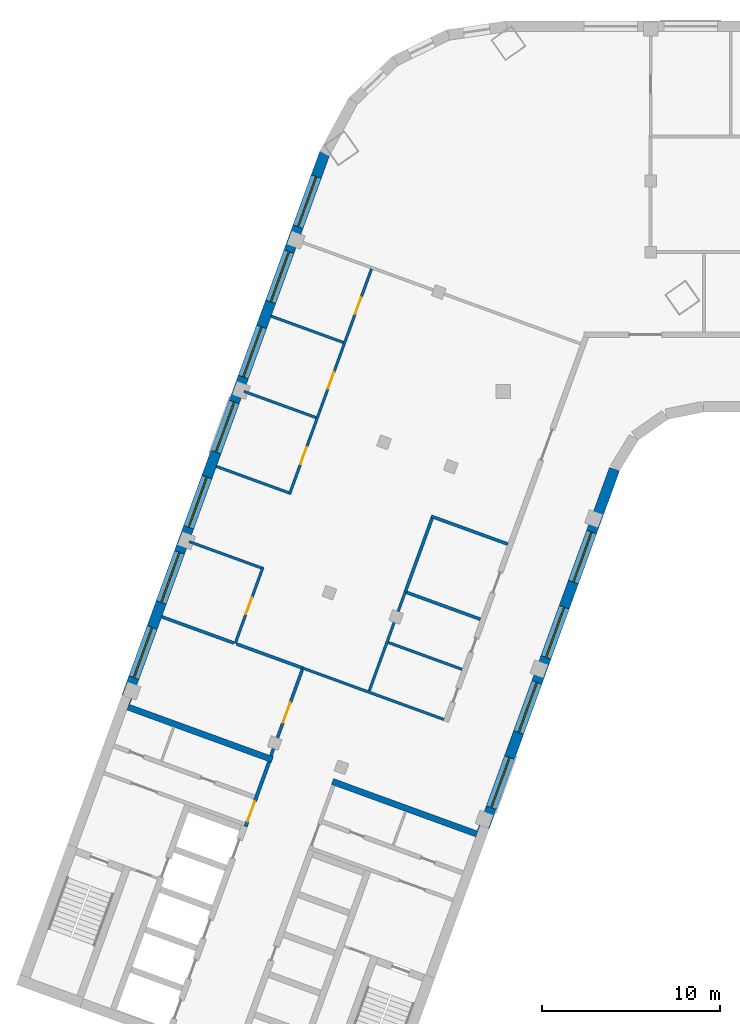
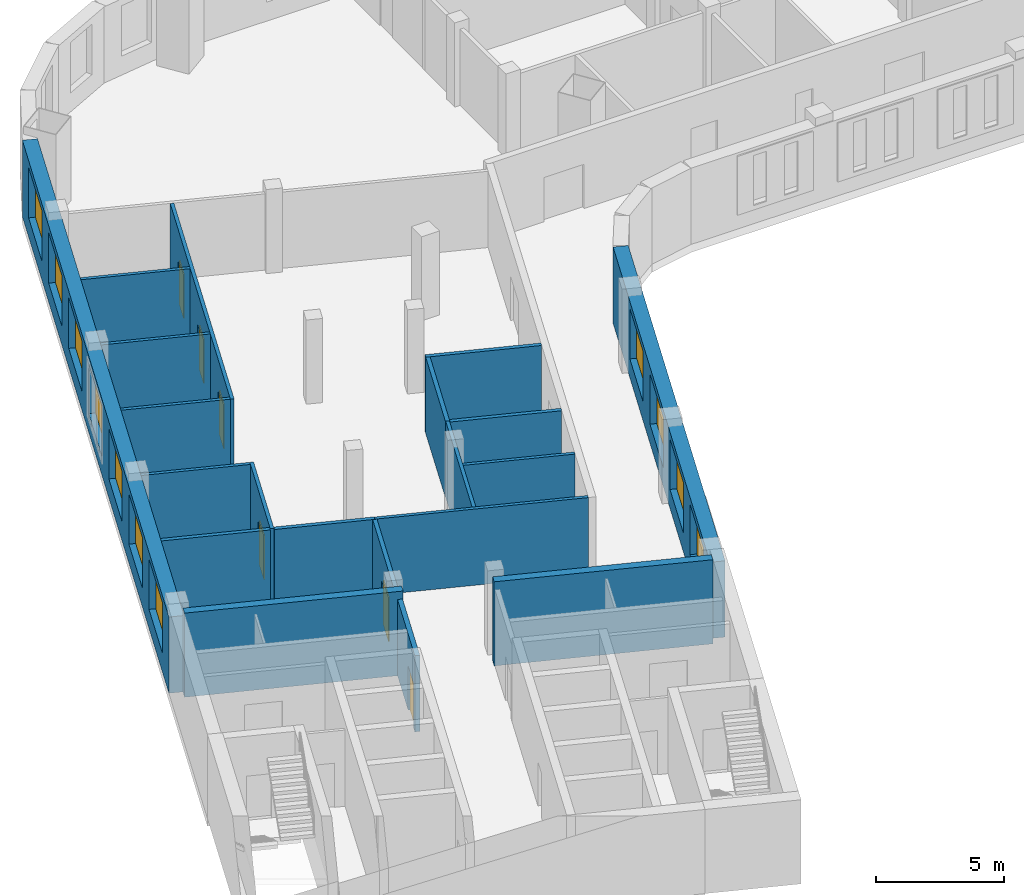
# One storey, part 3 of 9: 20 walls, 11 windows, 6 doors, 17 openings.
"""IFC4 building model written with IfcOpenShell, lengths in metres."""

import ifcopenshell
import ifcopenshell.guid

model = None  # the IFC model being written
_history = None  # IfcOwnerHistory: only IFC2X3 demands one
_inside = {}  # id of a spatial element -> (the spatial element, [elements in it])
_under = {}  # id of a project, library or spatial element -> (it, [spatial elements below it])
_declared = {}  # id of a project -> (the project, [libraries it declares])
_typed = {}  # id of a type object -> (the type object, [elements of that type])
_made_of = {}  # id of a material, layer set ... -> (it, [elements and type objects made of it])


def new_model(schema):
    """Start an empty IFC model of exactly this schema.

    Asked for "IFC4X3", IfcOpenShell would pick the latest addendum, in which some entities
    have other attributes; the version numbers below select the first issue.
    IFC2X3 requires an IfcOwnerHistory on every rooted entity: one is made here for all.
    """
    global model, _history
    if schema == "IFC4X3":
        model = ifcopenshell.file(schema_version=(4, 3, 0, 0))
    else:
        model = ifcopenshell.file(schema=schema)
    _inside.clear()
    _under.clear()
    _declared.clear()
    _typed.clear()
    _made_of.clear()
    _history = None
    if model.schema == "IFC2X3":
        org = make("IfcOrganization", Name="unknown")
        user = make(
            "IfcPersonAndOrganization",
            ThePerson=make("IfcPerson", FamilyName="unknown"),
            TheOrganization=org,
        )
        app = make(
            "IfcApplication",
            ApplicationDeveloper=org,
            Version="unknown",
            ApplicationFullName="unknown",
            ApplicationIdentifier="unknown",
        )
        _history = make(
            "IfcOwnerHistory",
            OwningUser=user,
            OwningApplication=app,
            ChangeAction="ADDED",
            CreationDate=0,
        )
    return model


def make(cls, **values):
    """One entity of the class cls with the attributes given. An attribute that is None is left unset."""
    return model.create_entity(
        cls, **{name: value for name, value in values.items() if value is not None}
    )


def rooted(cls, **values):
    """An entity with a GlobalId (a new one), such as an element, a storey or a relation."""
    return make(cls, GlobalId=ifcopenshell.guid.new(), OwnerHistory=_history, **values)


def si_unit(unit_type, name, prefix=None):
    """IfcSIUnit, for example si_unit("LENGTHUNIT", "METRE", prefix="MILLI")."""
    return make("IfcSIUnit", UnitType=unit_type, Prefix=prefix, Name=name)


def assignment(units):
    """IfcUnitAssignment: the units of a project."""
    return None if units is None else make("IfcUnitAssignment", Units=units)


def point(xyz):
    """IfcCartesianPoint."""
    return None if xyz is None else make("IfcCartesianPoint", Coordinates=xyz)


def direction(xyz):
    """IfcDirection."""
    return None if xyz is None else make("IfcDirection", DirectionRatios=xyz)


def frame(location, z_axis=None, x_axis=None):
    """IfcAxis2Placement3D, a coordinate frame: its origin and axes. An axis left out is left unset."""
    return make(
        "IfcAxis2Placement3D",
        Location=point(location),
        Axis=direction(z_axis),
        RefDirection=direction(x_axis),
    )


def frame_2d(location, x_axis=None):
    """IfcAxis2Placement2D, a coordinate frame in the plane: its origin and x axis."""
    return make(
        "IfcAxis2Placement2D", Location=point(location), RefDirection=direction(x_axis)
    )


def origin():
    """The frame at (0, 0, 0) with its axes left unset."""
    return frame((0.0, 0.0, 0.0))


def place(relative_to, where):
    """IfcLocalPlacement: puts the frame where relative to a parent placement (None: the world)."""
    return make(
        "IfcLocalPlacement", PlacementRelTo=relative_to, RelativePlacement=where
    )


def context(
    kind, dimensions, precision=None, world=None, true_north=None, identifier=None
):
    """IfcGeometricRepresentationContext, for example the 3D "Model" context."""
    return make(
        "IfcGeometricRepresentationContext",
        ContextIdentifier=identifier,
        ContextType=kind,
        CoordinateSpaceDimension=dimensions,
        Precision=precision,
        WorldCoordinateSystem=world,
        TrueNorth=true_north,
    )


def subcontext(parent, identifier, kind, view, scale=None):
    """IfcGeometricRepresentationSubContext, for example "Body" below "Model"."""
    return make(
        "IfcGeometricRepresentationSubContext",
        ContextIdentifier=identifier,
        ContextType=kind,
        ParentContext=parent,
        TargetScale=scale,
        TargetView=view,
    )


def project(units=None, contexts=None):
    """IfcProject with its units and contexts."""
    return rooted(
        "IfcProject",
        Name="project",
        RepresentationContexts=contexts,
        UnitsInContext=assignment(units),
    )


def spatial(cls, under=None, at=None, **own):
    """A site, building, storey or space (cls), placed at a placement, below another one or the project."""
    s = rooted(cls, ObjectPlacement=at, **own)
    if under is not None:
        _under.setdefault(under.id(), (under, []))[1].append(s)
    return s


def profile(cls, at=None, kind="AREA", **sizes):
    """A parametric profile (cls). Its sizes go by their IFC names, for example OverallWidth=200.0."""
    return make(cls, ProfileType=kind, Position=at, **sizes)


def rectangle(**sizes):
    """IfcRectangleProfileDef."""
    return profile("IfcRectangleProfileDef", **sizes)


def extrude(swept, where, along, depth):
    """IfcExtrudedAreaSolid: the profile swept, set in the frame where, extruded along a direction by depth."""
    return make(
        "IfcExtrudedAreaSolid",
        SweptArea=swept,
        Position=where,
        ExtrudedDirection=direction(along),
        Depth=depth,
    )


def shape(context_of_items, identifier, shape_type, items):
    """IfcShapeRepresentation: the items that make up one representation, for example the "Body"."""
    return make(
        "IfcShapeRepresentation",
        ContextOfItems=context_of_items,
        RepresentationIdentifier=identifier,
        RepresentationType=shape_type,
        Items=items,
    )


def material(Name=None, Category=None):
    """IfcMaterial."""
    return make("IfcMaterial", Name=Name, Category=Category)


def layer(
    of_material, thickness, ventilated=None, Name=None, Category=None, Priority=None
):
    """IfcMaterialLayer: one layer of a wall or slab, of a material (None: an air gap)."""
    return make(
        "IfcMaterialLayer",
        Material=of_material,
        LayerThickness=thickness,
        IsVentilated=ventilated,
        Name=Name,
        Category=Category,
        Priority=Priority,
    )


def layer_set(layers, Name=None):
    """IfcMaterialLayerSet."""
    return make("IfcMaterialLayerSet", MaterialLayers=layers, LayerSetName=Name)


def made_of(thing, what):
    """Note that an element or type object is made of a material, layer set ...; save() writes the relation."""
    if what is not None:
        _made_of.setdefault(what.id(), (what, []))[1].append(thing)
    return thing


def type_object(cls, material=None, **own):
    """A type object (cls), such as IfcWallType, which elements share."""
    return made_of(rooted(cls, **own), material)


def element(
    cls,
    number,
    at=None,
    inside=None,
    cuts=None,
    type_object=None,
    material=None,
    context=None,
    identifier="Body",
    shape_type=None,
    held_by="IfcProductDefinitionShape",
    body=None,
    shapes=None,
    **own,
):
    """One element of the class cls, such as IfcWall. Its Tag is "e" and its number.

    at: its placement. inside: the storey or other place that contains it. cuts: it is an
    opening in that element (IfcRelVoidsElement). A single representation is given by context,
    identifier, shape_type and body (its items); several are given by shapes. held_by: the class
    of the entity that holds the representations. save() writes the other relations.
    """
    e = rooted(cls, Tag="e%d" % number, ObjectPlacement=at, **own)
    if body is not None:
        shapes = [shape(context, identifier, shape_type, body)]
    if shapes is not None:
        e.Representation = make(held_by, Representations=shapes)
    if inside is not None:
        _inside.setdefault(inside.id(), (inside, []))[1].append(e)
    if cuts is not None:
        rooted(
            "IfcRelVoidsElement", RelatingBuildingElement=cuts, RelatedOpeningElement=e
        )
    if type_object is not None:
        _typed.setdefault(type_object.id(), (type_object, []))[1].append(e)
    return made_of(e, material)


def fill(opening, filler):
    """IfcRelFillsElement: the door or window that sits in an opening."""
    return rooted(
        "IfcRelFillsElement",
        RelatingOpeningElement=opening,
        RelatedBuildingElement=filler,
    )


def aggregate(whole, parts):
    """IfcRelAggregates: a whole, such as a stair, and the parts it consists of."""
    return rooted("IfcRelAggregates", RelatingObject=whole, RelatedObjects=parts)


def save(model, path):
    """Write the relations noted so far, then the file.

    IfcRelAggregates (storeys below a building ...), IfcRelContainedInSpatialStructure (elements
    in a storey), IfcRelDefinesByType, IfcRelAssociatesMaterial and IfcRelDeclares: one each for
    every whole, place, type object, material and project.
    """
    for whole, parts in _under.values():
        aggregate(whole, parts)
    for where, things in _inside.values():
        rooted(
            "IfcRelContainedInSpatialStructure",
            RelatedElements=things,
            RelatingStructure=where,
        )
    for kind, things in _typed.values():
        rooted("IfcRelDefinesByType", RelatedObjects=things, RelatingType=kind)
    for what, things in _made_of.values():
        rooted("IfcRelAssociatesMaterial", RelatedObjects=things, RelatingMaterial=what)
    for by, libraries in _declared.values():
        rooted("IfcRelDeclares", RelatingContext=by, RelatedDefinitions=libraries)
    model.write(path)


model = new_model("IFC4")

# Units and contexts
model_context = context("Model", 3, precision=1e-05, world=origin(), true_north=direction((0.0, 1.0)))
body_context = subcontext(model_context, "Body", "Model", "MODEL_VIEW")
ifc_project = project(units=[si_unit("LENGTHUNIT", "METRE"), si_unit("AREAUNIT", "SQUARE_METRE"), si_unit("VOLUMEUNIT", "CUBIC_METRE"), si_unit("PLANEANGLEUNIT", "RADIAN"), si_unit("MASSUNIT", "GRAM", prefix="KILO")], contexts=[model_context])

# Site, building, storey
site_placement = place(None, origin())
site = spatial("IfcSite", under=ifc_project, at=site_placement, CompositionType="ELEMENT")
building_placement = place(site_placement, origin())
building = spatial("IfcBuilding", under=site, at=building_placement, Name="Skarvind Civic Tower", CompositionType="ELEMENT")
storey_placement = place(building_placement, frame((0.0, 0.0, 158.5)))
storey = spatial("IfcBuildingStorey", under=building, at=storey_placement, Name="L37", CompositionType="ELEMENT", Elevation=158.5)

# Walls
ifc_material_1 = material(Name="Acoustic gypsum board on steel studs", Category="steel")
ifc_layer_1 = layer(ifc_material_1, 0.175048828125)
ifc_layer_set_1 = layer_set([ifc_layer_1], Name="ACOUSTIC MEETING-ROOM PARTITION 175")
wall_type_1 = type_object("IfcWallType", Name="ACOUSTIC MEETING-ROOM PARTITION 175", PredefinedType="PARTITIONING", material=ifc_layer_set_1)
wall_1_placement = place(storey_placement, frame((26.736083984375, 105.47998046875, 0.0), z_axis=(0.0, 0.0, 1.0), x_axis=(0.939677739056, -0.342061027776, 0.0)))
element("IfcWall", 1, at=wall_1_placement, inside=storey, type_object=wall_type_1, Name="Partition 37.001", PredefinedType="PARTITIONING", context=body_context, shape_type="SweptSolid", body=[
    extrude(rectangle(XDim=4.315185546875, YDim=0.175048828125, at=frame_2d((2.15771484375, 0.0))), origin(), (0.0, 0.0, 1.0), 3.625),
])
wall_2_placement = place(storey_placement, frame((30.949951171875, 103.946044921875, 0.0), z_axis=(0.0, 0.0, 1.0), x_axis=(0.939739492658, -0.341891336449, 0.0)))
element("IfcWall", 2, at=wall_2_placement, inside=storey, type_object=wall_type_1, Name="Partition 37.003", PredefinedType="PARTITIONING", context=body_context, shape_type="SweptSolid", body=[
    extrude(rectangle(XDim=3.966064453125, YDim=0.175048828125, at=frame_2d((1.98291015625, 0.0))), origin(), (0.0, 0.0, 1.0), 3.625),
])

# Wall, opening, door
wall_3_placement = place(storey_placement, frame((32.881103515625, 97.656982421875, 0.0), z_axis=(0.0, 0.0, 1.0), x_axis=(0.342058204353, 0.939678766832, 0.0)))
wall_3 = element("IfcWall", 3, at=wall_3_placement, inside=storey, type_object=wall_type_1, Name="Partition 37.010", PredefinedType="PARTITIONING", context=body_context, shape_type="SweptSolid", body=[
    extrude(rectangle(XDim=5.16259765625, YDim=0.175048828125, at=frame_2d((2.581298828125, 0.0))), origin(), (0.0, 0.0, 1.0), 3.625),
])
opening_1_placement = place(wall_3_placement, frame((1.9912109375, 0.0, 0.0)))
opening_1 = element("IfcOpeningElement", 4, at=opening_1_placement, cuts=wall_3, Name="Opening L37-D015", PredefinedType="OPENING", context=body_context, shape_type="SweptSolid", body=[
    extrude(rectangle(XDim=1.199951171875, YDim=2.10009765625, at=frame_2d((0.60009765625, 1.050048828125))), frame((0.0, 0.097412109375, 0.0), z_axis=(0.0, -1.0, 0.0), x_axis=(1.0, 0.0, 0.0)), (0.0, 0.0, 1.0), 0.195068359375),
])
ifc_material_2 = material(Name="Timber door leaf", Category="wood")
door_type_1 = type_object("IfcDoorType", Name="DOOR 1200X2100 DOUBLE TIMBER", OperationType="NOTDEFINED", PredefinedType="DOOR", material=ifc_material_2)
door_1_placement = place(opening_1_placement, origin())
door_1 = element("IfcDoor", 5, at=door_1_placement, inside=storey, type_object=door_type_1, Name="Door L37-D015", OperationType="DOUBLE_DOOR_SINGLE_SWING", OverallHeight=2.10009765625, OverallWidth=1.199951171875, PredefinedType="DOOR", context=body_context, shape_type="SweptSolid", body=[
    extrude(rectangle(XDim=1.199951171875, YDim=2.10009765625, at=frame_2d((0.60009765625, 1.050048828125))), frame((0.0, 0.02490234375, 0.0), z_axis=(0.0, -1.0, 0.0), x_axis=(1.0, 0.0, 0.0)), (0.0, 0.0, 1.0), 0.050048828125),
])
fill(opening_1, door_1)

# Walls
wall_4_placement = place(storey_placement, frame((40.52197265625, 106.847900390625, 0.0), z_axis=(0.0, 0.0, 1.0), x_axis=(0.939646357962, -0.342147222654, 0.0)))
element("IfcWall", 6, at=wall_4_placement, inside=storey, type_object=wall_type_1, Name="Partition 37.015", PredefinedType="PARTITIONING", context=body_context, shape_type="SweptSolid", body=[
    extrude(rectangle(XDim=4.413330078125, YDim=0.175048828125, at=frame_2d((2.20654296875, 0.0))), origin(), (0.0, 0.0, 1.0), 3.625),
])
wall_5_placement = place(storey_placement, frame((41.949951171875, 111.02392578125, 0.0), z_axis=(0.0, 0.0, 1.0), x_axis=(-0.342218375959, -0.939620446327, 0.0)))
element("IfcWall", 7, at=wall_5_placement, inside=storey, type_object=wall_type_1, Name="Partition 37.016", PredefinedType="PARTITIONING", context=body_context, shape_type="SweptSolid", body=[
    extrude(rectangle(XDim=4.412353515625, YDim=0.175048828125, at=frame_2d((2.2060546875, 0.0))), origin(), (0.0, 0.0, 1.0), 3.625),
])
wall_6_placement = place(storey_placement, frame((46.2080078125, 109.56689453125, 0.0), z_axis=(0.0, 0.0, 1.0), x_axis=(-0.939667480086, 0.342089208934, 0.0)))
element("IfcWall", 8, at=wall_6_placement, inside=storey, type_object=wall_type_1, Name="Partition 37.018", PredefinedType="PARTITIONING", context=body_context, shape_type="SweptSolid", body=[
    extrude(rectangle(XDim=4.586669921875, YDim=0.175048828125, at=frame_2d((2.29345703125, 0.0))), origin(), (0.0, 0.0, 1.0), 3.625),
])

# Wall, opening, door
ifc_material_3 = material(Name="Fire-rated masonry partition", Category="masonry")
ifc_layer_2 = layer(ifc_material_3, 0.199951171875)
ifc_layer_set_2 = layer_set([ifc_layer_2], Name="Core enclosure wall 200")
wall_type_2 = type_object("IfcWallType", Name="Core enclosure wall 200", PredefinedType="PARTITIONING", material=ifc_layer_set_2)
wall_7_placement = place(storey_placement, frame((31.45947265625, 93.67822265625, 0.0), z_axis=(0.0, 0.0, 1.0), x_axis=(0.341985870128, 0.939705094502, 0.0)))
wall_7 = element("IfcWall", 9, at=wall_7_placement, inside=storey, type_object=wall_type_2, Name="Core wall C2", PredefinedType="PARTITIONING", context=body_context, shape_type="SweptSolid", body=[
    extrude(rectangle(XDim=3.875, YDim=0.199951171875, at=frame_2d((1.9375, 0.0))), origin(), (0.0, 0.0, 1.0), 3.625),
])
opening_2_placement = place(wall_7_placement, frame((0.300048828125, 0.0, 0.0)))
opening_2 = element("IfcOpeningElement", 10, at=opening_2_placement, cuts=wall_7, Name="Opening D-L37-C2-07", PredefinedType="OPENING", context=body_context, shape_type="SweptSolid", body=[
    extrude(rectangle(XDim=1.199951171875, YDim=2.10009765625, at=frame_2d((0.60009765625, 1.050048828125))), frame((0.0, 0.10986328125, 0.0), z_axis=(0.0, -1.0, 0.0), x_axis=(1.0, 0.0, 0.0)), (0.0, 0.0, 1.0), 0.219970703125),
])
ifc_material_4 = material(Name="Fire-rated steel door", Category="steel")
door_type_2 = type_object("IfcDoorType", Name="Core lobby door 1200", OperationType="NOTDEFINED", PredefinedType="DOOR", material=ifc_material_4)
door_2_placement = place(opening_2_placement, origin())
door_2 = element("IfcDoor", 11, at=door_2_placement, inside=storey, type_object=door_type_2, Name="Fire door", OperationType="DOUBLE_DOOR_SINGLE_SWING", OverallHeight=2.10009765625, OverallWidth=1.199951171875, PredefinedType="DOOR", context=body_context, shape_type="SweptSolid", body=[
    extrude(rectangle(XDim=1.199951171875, YDim=2.10009765625, at=frame_2d((0.60009765625, 1.050048828125))), frame((0.0, 0.02490234375, 0.0), z_axis=(0.0, -1.0, 0.0), x_axis=(1.0, 0.0, 0.0)), (0.0, 0.0, 1.0), 0.050048828125),
])
fill(opening_2, door_2)

# Walls
ifc_material_5 = material(Name="Concrete C60", Category="concrete")
ifc_layer_3 = layer(ifc_material_5, 0.35009765625)
ifc_layer_set_3 = layer_set([ifc_layer_3], Name="Core wall 350 C60")
wall_type_3 = type_object("IfcWallType", Name="Core wall 350 C60", PredefinedType="SHEAR", material=ifc_layer_set_3)
wall_8_placement = place(storey_placement, frame((44.473388671875, 93.25146484375, 0.0), z_axis=(0.0, 0.0, 1.0), x_axis=(-0.939692847377, 0.34201952077, 0.0)))
element("IfcWall", 12, at=wall_8_placement, inside=storey, type_object=wall_type_3, Name="Core wall C2 south inner face L37", PredefinedType="SHEAR", context=body_context, shape_type="SweptSolid", body=[
    extrude(rectangle(XDim=8.650146484375, YDim=0.35009765625, at=frame_2d((4.3251953125, 0.0))), origin(), (0.0, 0.0, 1.0), 4.0),
])
wall_9_placement = place(storey_placement, frame((32.9619140625, 97.44140625, 0.0), z_axis=(0.0, 0.0, 1.0), x_axis=(-0.939689545667, 0.342028592028, 0.0)))
element("IfcWall", 13, at=wall_9_placement, inside=storey, type_object=wall_type_3, Name="Core wall C2 north inner face L37", PredefinedType="SHEAR", context=body_context, shape_type="SweptSolid", body=[
    extrude(rectangle(XDim=8.64990234375, YDim=0.35009765625, at=frame_2d((4.324951171875, 0.0))), origin(), (0.0, 0.0, 1.0), 4.0),
])
ifc_material_6 = material(Name="Plasterboard partition on steel studs", Category="steel")
ifc_layer_4 = layer(ifc_material_6, 0.14990234375)
ifc_layer_set_4 = layer_set([ifc_layer_4], Name="PARTITION 150")
wall_type_4 = type_object("IfcWallType", Name="PARTITION 150", PredefinedType="PARTITIONING", material=ifc_layer_set_4)
wall_10_placement = place(storey_placement, frame((28.27490234375, 109.708984375, 0.0), z_axis=(0.0, 0.0, 1.0), x_axis=(0.939737385516, -0.341897128188, 0.0)))
element("IfcWall", 14, at=wall_10_placement, inside=storey, type_object=wall_type_4, Name="Partition 37.002", PredefinedType="PARTITIONING", context=body_context, shape_type="SweptSolid", body=[
    extrude(rectangle(XDim=4.325927734375, YDim=0.14990234375, at=frame_2d((2.1630859375, 0.0))), origin(), (0.0, 0.0, 1.0), 3.625),
])
wall_11_placement = place(storey_placement, frame((31.35302734375, 118.166015625, 0.0), z_axis=(0.0, 0.0, 1.0), x_axis=(0.939803311208, -0.341715870634, 0.0)))
element("IfcWall", 15, at=wall_11_placement, inside=storey, type_object=wall_type_4, Name="Partition 37.004", PredefinedType="PARTITIONING", context=body_context, shape_type="SweptSolid", body=[
    extrude(rectangle(XDim=4.3251953125, YDim=0.14990234375, at=frame_2d((2.16259765625, 0.0))), origin(), (0.0, 0.0, 1.0), 3.625),
])

# Wall, opening, door
wall_12_placement = place(storey_placement, frame((32.43603515625, 108.27392578125, 0.0), z_axis=(0.0, 0.0, 1.0), x_axis=(-0.342145890874, -0.939646842893, 0.0)))
wall_12 = element("IfcWall", 16, at=wall_12_placement, inside=storey, type_object=wall_type_4, Name="Partition 37.005", PredefinedType="PARTITIONING", context=body_context, shape_type="SweptSolid", body=[
    extrude(rectangle(XDim=4.573974609375, YDim=0.14990234375, at=frame_2d((2.287109375, 0.0))), origin(), (0.0, 0.0, 1.0), 3.625),
])
opening_3_placement = place(wall_12_placement, frame((1.82421875, 0.0, 0.0)))
opening_3 = element("IfcOpeningElement", 17, at=opening_3_placement, cuts=wall_12, Name="Opening L37-D019", PredefinedType="OPENING", context=body_context, shape_type="SweptSolid", body=[
    extrude(rectangle(XDim=1.0, YDim=2.10009765625, at=frame_2d((0.5, 1.050048828125))), frame((0.0, 0.0849609375, 0.0), z_axis=(0.0, -1.0, 0.0), x_axis=(1.0, 0.0, 0.0)), (0.0, 0.0, 1.0), 0.169921875),
])
door_type_3 = type_object("IfcDoorType", Name="D1 1000x2100", OperationType="NOTDEFINED", PredefinedType="DOOR", material=ifc_material_2)
door_3_placement = place(opening_3_placement, origin())
door_3 = element("IfcDoor", 18, at=door_3_placement, inside=storey, type_object=door_type_3, Name="Door L37-D019", OperationType="SINGLE_SWING_LEFT", OverallHeight=2.10009765625, OverallWidth=1.0, PredefinedType="DOOR", context=body_context, shape_type="SweptSolid", body=[
    extrude(rectangle(XDim=1.0, YDim=2.10009765625, at=frame_2d((0.5, 1.050048828125))), frame((0.0, 0.02490234375, 0.0), z_axis=(0.0, -1.0, 0.0), x_axis=(1.0, 0.0, 0.0)), (0.0, 0.0, 1.0), 0.050048828125),
])
fill(opening_3, door_3)

# Walls
for number, where, z_axis, x_axis, name in (
    (19, (32.89208984375, 122.39501953125, 0.0), (0.0, 0.0, 1.0), (0.93973078783, -0.341915262023, 0.0), "Partition 37.006"),
    (20, (33.87890625, 112.458984375, 0.0), (0.0, 0.0, 1.0), (-0.93973078783, 0.341915262023, 0.0), "Partition 37.007"),
):
    element("IfcWall", number, at=place(storey_placement, frame(where, z_axis=z_axis, x_axis=x_axis)), inside=storey, type_object=wall_type_4, Name=name, PredefinedType="PARTITIONING", context=body_context, shape_type="SweptSolid", body=[
        extrude(rectangle(XDim=4.32568359375, YDim=0.14990234375, at=frame_2d((2.162841796875, 0.0))), origin(), (0.0, 0.0, 1.0), 3.625),
    ])

# Wall, openings, doors
wall_13_placement = place(storey_placement, frame((38.5400390625, 125.049072265625, 0.0), z_axis=(0.0, 0.0, 1.0), x_axis=(-0.341994252555, -0.939702043852, 0.0)))
wall_13 = element("IfcWall", 21, at=wall_13_placement, inside=storey, type_object=wall_type_4, Name="Partition 37.008", PredefinedType="PARTITIONING", context=body_context, shape_type="SweptSolid", body=[
    extrude(rectangle(XDim=13.5, YDim=0.14990234375, at=frame_2d((6.75, 0.0))), origin(), (0.0, 0.0, 1.0), 3.625),
])
opening_4_placement = place(wall_13_placement, frame((10.67529296875, 0.0, 0.0)))
opening_4 = element("IfcOpeningElement", 22, at=opening_4_placement, cuts=wall_13, Name="Opening L37-D020", PredefinedType="OPENING", context=body_context, shape_type="SweptSolid", body=[
    extrude(rectangle(XDim=1.0, YDim=2.10009765625, at=frame_2d((0.5, 1.050048828125))), frame((0.0, 0.0849609375, 0.0), z_axis=(0.0, -1.0, 0.0), x_axis=(1.0, 0.0, 0.0)), (0.0, 0.0, 1.0), 0.169921875),
])
opening_5_placement = place(wall_13_placement, frame((6.175537109375, 0.0, 0.0)))
opening_5 = element("IfcOpeningElement", 23, at=opening_5_placement, cuts=wall_13, Name="Opening L37-D021", PredefinedType="OPENING", context=body_context, shape_type="SweptSolid", body=[
    extrude(rectangle(XDim=1.0, YDim=2.10009765625, at=frame_2d((0.5, 1.050048828125))), frame((0.0, 0.0849609375, 0.0), z_axis=(0.0, -1.0, 0.0), x_axis=(1.0, 0.0, 0.0)), (0.0, 0.0, 1.0), 0.169921875),
])
opening_6_placement = place(wall_13_placement, frame((1.70263671875, 0.0, 0.0)))
opening_6 = element("IfcOpeningElement", 24, at=opening_6_placement, cuts=wall_13, Name="Opening L37-D022", PredefinedType="OPENING", context=body_context, shape_type="SweptSolid", body=[
    extrude(rectangle(XDim=1.0, YDim=2.10009765625, at=frame_2d((0.5, 1.050048828125))), frame((0.0, 0.0849609375, 0.0), z_axis=(0.0, -1.0, 0.0), x_axis=(1.0, 0.0, 0.0)), (0.0, 0.0, 1.0), 0.169921875),
])
door_4_placement = place(opening_4_placement, origin())
door_4 = element("IfcDoor", 25, at=door_4_placement, inside=storey, type_object=door_type_3, Name="Door L37-D020", OperationType="SINGLE_SWING_LEFT", OverallHeight=2.10009765625, OverallWidth=1.0, PredefinedType="DOOR", context=body_context, shape_type="SweptSolid", body=[
    extrude(rectangle(XDim=1.0, YDim=2.10009765625, at=frame_2d((0.5, 1.050048828125))), frame((0.0, 0.02490234375, 0.0), z_axis=(0.0, -1.0, 0.0), x_axis=(1.0, 0.0, 0.0)), (0.0, 0.0, 1.0), 0.050048828125),
])
fill(opening_4, door_4)
door_5_placement = place(opening_5_placement, origin())
door_5 = element("IfcDoor", 26, at=door_5_placement, inside=storey, type_object=door_type_3, Name="Door L37-D021", OperationType="SINGLE_SWING_LEFT", OverallHeight=2.10009765625, OverallWidth=1.0, PredefinedType="DOOR", context=body_context, shape_type="SweptSolid", body=[
    extrude(rectangle(XDim=1.0, YDim=2.10009765625, at=frame_2d((0.5, 1.050048828125))), frame((0.0, 0.02490234375, 0.0), z_axis=(0.0, -1.0, 0.0), x_axis=(1.0, 0.0, 0.0)), (0.0, 0.0, 1.0), 0.050048828125),
])
fill(opening_5, door_5)
door_6_placement = place(opening_6_placement, origin())
door_6 = element("IfcDoor", 27, at=door_6_placement, inside=storey, type_object=door_type_3, Name="Door L37-D022", OperationType="SINGLE_SWING_LEFT", OverallHeight=2.10009765625, OverallWidth=1.0, PredefinedType="DOOR", context=body_context, shape_type="SweptSolid", body=[
    extrude(rectangle(XDim=1.0, YDim=2.10009765625, at=frame_2d((0.5, 1.050048828125))), frame((0.0, 0.02490234375, 0.0), z_axis=(0.0, -1.0, 0.0), x_axis=(1.0, 0.0, 0.0)), (0.0, 0.0, 1.0), 0.050048828125),
])
fill(opening_6, door_6)

# Walls
wall_14_placement = place(storey_placement, frame((34.677001953125, 102.590087890625, 0.0), z_axis=(0.0, 0.0, 1.0), x_axis=(0.939683705252, -0.342044637561, 0.0)))
element("IfcWall", 28, at=wall_14_placement, inside=storey, type_object=wall_type_4, Name="Partition 37.011", PredefinedType="PARTITIONING", context=body_context, shape_type="SweptSolid", body=[
    extrude(rectangle(XDim=8.44970703125, YDim=0.14990234375, at=frame_2d((4.224853515625, 0.0))), origin(), (0.0, 0.0, 1.0), 3.625),
])
wall_15_placement = place(storey_placement, frame((38.4140625, 101.30908203125, 0.0), z_axis=(0.0, 0.0, 1.0), x_axis=(0.34186876189, 0.939747705315, 0.0)))
element("IfcWall", 29, at=wall_15_placement, inside=storey, type_object=wall_type_4, Name="Partition 37.013", PredefinedType="PARTITIONING", context=body_context, shape_type="SweptSolid", body=[
    extrude(rectangle(XDim=5.92578125, YDim=0.14990234375, at=frame_2d((2.962890625, 0.0))), origin(), (0.0, 0.0, 1.0), 3.625),
])
wall_16_placement = place(storey_placement, frame((39.48388671875, 104.032958984375, 0.0), z_axis=(0.0, 0.0, 1.0), x_axis=(0.939685474739, -0.342039776289, 0.0)))
element("IfcWall", 30, at=wall_16_placement, inside=storey, type_object=wall_type_4, Name="Partition 37.014", PredefinedType="PARTITIONING", context=body_context, shape_type="SweptSolid", body=[
    extrude(rectangle(XDim=4.426025390625, YDim=0.14990234375, at=frame_2d((2.212890625, 0.0))), origin(), (0.0, 0.0, 1.0), 3.625),
])

# Wall, openings, windows
ifc_material_7 = material(Name="Limestone masonry cladding on insulated backing", Category="masonry")
ifc_layer_5 = layer(ifc_material_7, 0.60009765625)
ifc_layer_set_5 = layer_set([ifc_layer_5], Name="WX1 STONE FACADE WALL 600")
wall_type_5 = type_object("IfcWallType", Name="WX1 STONE FACADE WALL 600", PredefinedType="SOLIDWALL", material=ifc_layer_set_5)
wall_17_placement = place(storey_placement, frame((52.212158203125, 113.78271484375, 0.0), z_axis=(0.0, 0.0, 1.0), x_axis=(-0.34202521188, -0.939690775968, 0.0)))
wall_17 = element("IfcWall", 31, at=wall_17_placement, inside=storey, type_object=wall_type_5, Name="STONE FACADE WALL", PredefinedType="SOLIDWALL", context=body_context, shape_type="SweptSolid", body=[
    extrude(rectangle(XDim=21.744873046875, YDim=0.60009765625, at=frame_2d((10.87255859375, 0.0))), origin(), (0.0, 0.0, 1.0), 3.625),
])
opening_7_placement = place(wall_17_placement, frame((3.764892578125, 0.0, 0.89990234375)))
opening_7 = element("IfcOpeningElement", 32, at=opening_7_placement, cuts=wall_17, Name="Opening WN1", PredefinedType="OPENING", context=body_context, shape_type="SweptSolid", body=[
    extrude(rectangle(XDim=3.0, YDim=2.39990234375, at=frame_2d((1.5, 1.199951171875))), frame((0.0, 0.31005859375, 0.0), z_axis=(0.0, -1.0, 0.0), x_axis=(1.0, 0.0, 0.0)), (0.0, 0.0, 1.0), 0.6201171875),
])
opening_8_placement = place(wall_17_placement, frame((8.264892578125, 0.0, 0.89990234375)))
opening_8 = element("IfcOpeningElement", 33, at=opening_8_placement, cuts=wall_17, Name="Opening WN1", PredefinedType="OPENING", context=body_context, shape_type="SweptSolid", body=[
    extrude(rectangle(XDim=3.0, YDim=2.39990234375, at=frame_2d((1.5, 1.199951171875))), frame((0.0, 0.31005859375, 0.0), z_axis=(0.0, -1.0, 0.0), x_axis=(1.0, 0.0, 0.0)), (0.0, 0.0, 1.0), 0.6201171875),
])
opening_9_placement = place(wall_17_placement, frame((12.764892578125, 0.0, 0.89990234375)))
opening_9 = element("IfcOpeningElement", 34, at=opening_9_placement, cuts=wall_17, Name="Opening WN1", PredefinedType="OPENING", context=body_context, shape_type="SweptSolid", body=[
    extrude(rectangle(XDim=3.0, YDim=2.39990234375, at=frame_2d((1.5, 1.199951171875))), frame((0.0, 0.31005859375, 0.0), z_axis=(0.0, -1.0, 0.0), x_axis=(1.0, 0.0, 0.0)), (0.0, 0.0, 1.0), 0.6201171875),
])
opening_10_placement = place(wall_17_placement, frame((17.264892578125, 0.0, 0.89990234375)))
opening_10 = element("IfcOpeningElement", 35, at=opening_10_placement, cuts=wall_17, Name="Opening WN1", PredefinedType="OPENING", context=body_context, shape_type="SweptSolid", body=[
    extrude(rectangle(XDim=3.0, YDim=2.39990234375, at=frame_2d((1.5, 1.199951171875))), frame((0.0, 0.31005859375, 0.0), z_axis=(0.0, -1.0, 0.0), x_axis=(1.0, 0.0, 0.0)), (0.0, 0.0, 1.0), 0.6201171875),
])
ifc_material_8 = material(Name="Timber frame, double glazing, timber-lined reveal", Category="wood")
window_type = type_object("IfcWindowType", Name="WN1 PUNCHED STONE WINDOW 3000 x 2400", PartitioningType="SINGLE_PANEL", PredefinedType="WINDOW", material=ifc_material_8)
window_1_placement = place(opening_7_placement, origin())
window_1 = element("IfcWindow", 36, at=window_1_placement, inside=storey, type_object=window_type, Name="WN1 WINDOW", OverallHeight=2.39990234375, OverallWidth=3.0, PartitioningType="SINGLE_PANEL", PredefinedType="WINDOW", context=body_context, shape_type="SweptSolid", body=[
    extrude(rectangle(XDim=3.0, YDim=2.39990234375, at=frame_2d((1.5, 1.199951171875))), frame((0.0, 0.030029296875, 0.0), z_axis=(0.0, -1.0, 0.0), x_axis=(1.0, 0.0, 0.0)), (0.0, 0.0, 1.0), 0.06005859375),
])
fill(opening_7, window_1)
window_2_placement = place(opening_8_placement, origin())
window_2 = element("IfcWindow", 37, at=window_2_placement, inside=storey, type_object=window_type, Name="WN1 WINDOW", OverallHeight=2.39990234375, OverallWidth=3.0, PartitioningType="SINGLE_PANEL", PredefinedType="WINDOW", context=body_context, shape_type="SweptSolid", body=[
    extrude(rectangle(XDim=3.0, YDim=2.39990234375, at=frame_2d((1.5, 1.199951171875))), frame((0.0, 0.030029296875, 0.0), z_axis=(0.0, -1.0, 0.0), x_axis=(1.0, 0.0, 0.0)), (0.0, 0.0, 1.0), 0.06005859375),
])
fill(opening_8, window_2)
window_3_placement = place(opening_9_placement, origin())
window_3 = element("IfcWindow", 38, at=window_3_placement, inside=storey, type_object=window_type, Name="WN1 WINDOW", OverallHeight=2.39990234375, OverallWidth=3.0, PartitioningType="SINGLE_PANEL", PredefinedType="WINDOW", context=body_context, shape_type="SweptSolid", body=[
    extrude(rectangle(XDim=3.0, YDim=2.39990234375, at=frame_2d((1.5, 1.199951171875))), frame((0.0, 0.030029296875, 0.0), z_axis=(0.0, -1.0, 0.0), x_axis=(1.0, 0.0, 0.0)), (0.0, 0.0, 1.0), 0.06005859375),
])
fill(opening_9, window_3)
window_4_placement = place(opening_10_placement, origin())
window_4 = element("IfcWindow", 39, at=window_4_placement, inside=storey, type_object=window_type, Name="WN1 WINDOW", OverallHeight=2.39990234375, OverallWidth=3.0, PartitioningType="SINGLE_PANEL", PredefinedType="WINDOW", context=body_context, shape_type="SweptSolid", body=[
    extrude(rectangle(XDim=3.0, YDim=2.39990234375, at=frame_2d((1.5, 1.199951171875))), frame((0.0, 0.030029296875, 0.0), z_axis=(0.0, -1.0, 0.0), x_axis=(1.0, 0.0, 0.0)), (0.0, 0.0, 1.0), 0.06005859375),
])
fill(opening_10, window_4)

wall_18_placement = place(storey_placement, frame((24.66552734375, 100.668701171875, 0.0), z_axis=(0.0, 0.0, 1.0), x_axis=(0.34201964167, 0.939692803373, 0.0)))
wall_18 = element("IfcWall", 40, at=wall_18_placement, inside=storey, type_object=wall_type_5, Name="STONE FACADE WALL", PredefinedType="SOLIDWALL", context=body_context, shape_type="SweptSolid", body=[
    extrude(rectangle(XDim=32.88427734375, YDim=0.60009765625, at=frame_2d((16.442138671875, 0.0))), origin(), (0.0, 0.0, 1.0), 3.625),
])
opening_11_placement = place(wall_18_placement, frame((1.47998046875, 0.0, 0.89990234375)))
opening_11 = element("IfcOpeningElement", 41, at=opening_11_placement, cuts=wall_18, Name="Opening WN1", PredefinedType="OPENING", context=body_context, shape_type="SweptSolid", body=[
    extrude(rectangle(XDim=3.0, YDim=2.39990234375, at=frame_2d((1.5, 1.199951171875))), frame((0.0, 0.31005859375, 0.0), z_axis=(0.0, -1.0, 0.0), x_axis=(1.0, 0.0, 0.0)), (0.0, 0.0, 1.0), 0.6201171875),
])
opening_12_placement = place(wall_18_placement, frame((5.97998046875, 0.0, 0.89990234375)))
opening_12 = element("IfcOpeningElement", 42, at=opening_12_placement, cuts=wall_18, Name="Opening WN1", PredefinedType="OPENING", context=body_context, shape_type="SweptSolid", body=[
    extrude(rectangle(XDim=3.0, YDim=2.39990234375, at=frame_2d((1.5, 1.199951171875))), frame((0.0, 0.31005859375, 0.0), z_axis=(0.0, -1.0, 0.0), x_axis=(1.0, 0.0, 0.0)), (0.0, 0.0, 1.0), 0.6201171875),
])
opening_13_placement = place(wall_18_placement, frame((10.47998046875, 0.0, 0.89990234375)))
opening_13 = element("IfcOpeningElement", 43, at=opening_13_placement, cuts=wall_18, Name="Opening WN1", PredefinedType="OPENING", context=body_context, shape_type="SweptSolid", body=[
    extrude(rectangle(XDim=3.0, YDim=2.39990234375, at=frame_2d((1.5, 1.199951171875))), frame((0.0, 0.31005859375, 0.0), z_axis=(0.0, -1.0, 0.0), x_axis=(1.0, 0.0, 0.0)), (0.0, 0.0, 1.0), 0.6201171875),
])
opening_14_placement = place(wall_18_placement, frame((14.97998046875, 0.0, 0.89990234375)))
opening_14 = element("IfcOpeningElement", 44, at=opening_14_placement, cuts=wall_18, Name="Opening WN1", PredefinedType="OPENING", context=body_context, shape_type="SweptSolid", body=[
    extrude(rectangle(XDim=3.0, YDim=2.39990234375, at=frame_2d((1.5, 1.199951171875))), frame((0.0, 0.31005859375, 0.0), z_axis=(0.0, -1.0, 0.0), x_axis=(1.0, 0.0, 0.0)), (0.0, 0.0, 1.0), 0.6201171875),
])
opening_15_placement = place(wall_18_placement, frame((19.47998046875, 0.0, 0.89990234375)))
opening_15 = element("IfcOpeningElement", 45, at=opening_15_placement, cuts=wall_18, Name="Opening WN1", PredefinedType="OPENING", context=body_context, shape_type="SweptSolid", body=[
    extrude(rectangle(XDim=3.0, YDim=2.39990234375, at=frame_2d((1.5, 1.199951171875))), frame((0.0, 0.31005859375, 0.0), z_axis=(0.0, -1.0, 0.0), x_axis=(1.0, 0.0, 0.0)), (0.0, 0.0, 1.0), 0.6201171875),
])
opening_16_placement = place(wall_18_placement, frame((23.97998046875, 0.0, 0.89990234375)))
opening_16 = element("IfcOpeningElement", 46, at=opening_16_placement, cuts=wall_18, Name="Opening WN1", PredefinedType="OPENING", context=body_context, shape_type="SweptSolid", body=[
    extrude(rectangle(XDim=3.0, YDim=2.39990234375, at=frame_2d((1.5, 1.199951171875))), frame((0.0, 0.31005859375, 0.0), z_axis=(0.0, -1.0, 0.0), x_axis=(1.0, 0.0, 0.0)), (0.0, 0.0, 1.0), 0.6201171875),
])
opening_17_placement = place(wall_18_placement, frame((28.47998046875, 0.0, 0.89990234375)))
opening_17 = element("IfcOpeningElement", 47, at=opening_17_placement, cuts=wall_18, Name="Opening WN1", PredefinedType="OPENING", context=body_context, shape_type="SweptSolid", body=[
    extrude(rectangle(XDim=3.0, YDim=2.39990234375, at=frame_2d((1.5, 1.199951171875))), frame((0.0, 0.31005859375, 0.0), z_axis=(0.0, -1.0, 0.0), x_axis=(1.0, 0.0, 0.0)), (0.0, 0.0, 1.0), 0.6201171875),
])
window_5_placement = place(opening_11_placement, origin())
window_5 = element("IfcWindow", 48, at=window_5_placement, inside=storey, type_object=window_type, Name="WN1 WINDOW", OverallHeight=2.39990234375, OverallWidth=3.0, PartitioningType="SINGLE_PANEL", PredefinedType="WINDOW", context=body_context, shape_type="SweptSolid", body=[
    extrude(rectangle(XDim=3.0, YDim=2.39990234375, at=frame_2d((1.5, 1.199951171875))), frame((0.0, 0.030029296875, 0.0), z_axis=(0.0, -1.0, 0.0), x_axis=(1.0, 0.0, 0.0)), (0.0, 0.0, 1.0), 0.06005859375),
])
fill(opening_11, window_5)
window_6_placement = place(opening_12_placement, origin())
window_6 = element("IfcWindow", 49, at=window_6_placement, inside=storey, type_object=window_type, Name="WN1 WINDOW", OverallHeight=2.39990234375, OverallWidth=3.0, PartitioningType="SINGLE_PANEL", PredefinedType="WINDOW", context=body_context, shape_type="SweptSolid", body=[
    extrude(rectangle(XDim=3.0, YDim=2.39990234375, at=frame_2d((1.5, 1.199951171875))), frame((0.0, 0.030029296875, 0.0), z_axis=(0.0, -1.0, 0.0), x_axis=(1.0, 0.0, 0.0)), (0.0, 0.0, 1.0), 0.06005859375),
])
fill(opening_12, window_6)
window_7_placement = place(opening_13_placement, origin())
window_7 = element("IfcWindow", 50, at=window_7_placement, inside=storey, type_object=window_type, Name="WN1 WINDOW", OverallHeight=2.39990234375, OverallWidth=3.0, PartitioningType="SINGLE_PANEL", PredefinedType="WINDOW", context=body_context, shape_type="SweptSolid", body=[
    extrude(rectangle(XDim=3.0, YDim=2.39990234375, at=frame_2d((1.5, 1.199951171875))), frame((0.0, 0.030029296875, 0.0), z_axis=(0.0, -1.0, 0.0), x_axis=(1.0, 0.0, 0.0)), (0.0, 0.0, 1.0), 0.06005859375),
])
fill(opening_13, window_7)
window_8_placement = place(opening_14_placement, origin())
window_8 = element("IfcWindow", 51, at=window_8_placement, inside=storey, type_object=window_type, Name="WN1 WINDOW", OverallHeight=2.39990234375, OverallWidth=3.0, PartitioningType="SINGLE_PANEL", PredefinedType="WINDOW", context=body_context, shape_type="SweptSolid", body=[
    extrude(rectangle(XDim=3.0, YDim=2.39990234375, at=frame_2d((1.5, 1.199951171875))), frame((0.0, 0.030029296875, 0.0), z_axis=(0.0, -1.0, 0.0), x_axis=(1.0, 0.0, 0.0)), (0.0, 0.0, 1.0), 0.06005859375),
])
fill(opening_14, window_8)
window_9_placement = place(opening_15_placement, origin())
window_9 = element("IfcWindow", 52, at=window_9_placement, inside=storey, type_object=window_type, Name="WN1 WINDOW", OverallHeight=2.39990234375, OverallWidth=3.0, PartitioningType="SINGLE_PANEL", PredefinedType="WINDOW", context=body_context, shape_type="SweptSolid", body=[
    extrude(rectangle(XDim=3.0, YDim=2.39990234375, at=frame_2d((1.5, 1.199951171875))), frame((0.0, 0.030029296875, 0.0), z_axis=(0.0, -1.0, 0.0), x_axis=(1.0, 0.0, 0.0)), (0.0, 0.0, 1.0), 0.06005859375),
])
fill(opening_15, window_9)
window_10_placement = place(opening_16_placement, origin())
window_10 = element("IfcWindow", 53, at=window_10_placement, inside=storey, type_object=window_type, Name="WN1 WINDOW", OverallHeight=2.39990234375, OverallWidth=3.0, PartitioningType="SINGLE_PANEL", PredefinedType="WINDOW", context=body_context, shape_type="SweptSolid", body=[
    extrude(rectangle(XDim=3.0, YDim=2.39990234375, at=frame_2d((1.5, 1.199951171875))), frame((0.0, 0.030029296875, 0.0), z_axis=(0.0, -1.0, 0.0), x_axis=(1.0, 0.0, 0.0)), (0.0, 0.0, 1.0), 0.06005859375),
])
fill(opening_16, window_10)
window_11_placement = place(opening_17_placement, origin())
window_11 = element("IfcWindow", 54, at=window_11_placement, inside=storey, type_object=window_type, Name="WN1 WINDOW", OverallHeight=2.39990234375, OverallWidth=3.0, PartitioningType="SINGLE_PANEL", PredefinedType="WINDOW", context=body_context, shape_type="SweptSolid", body=[
    extrude(rectangle(XDim=3.0, YDim=2.39990234375, at=frame_2d((1.5, 1.199951171875))), frame((0.0, 0.030029296875, 0.0), z_axis=(0.0, -1.0, 0.0), x_axis=(1.0, 0.0, 0.0)), (0.0, 0.0, 1.0), 0.06005859375),
])
fill(opening_17, window_11)

save(model, "model.ifc")
